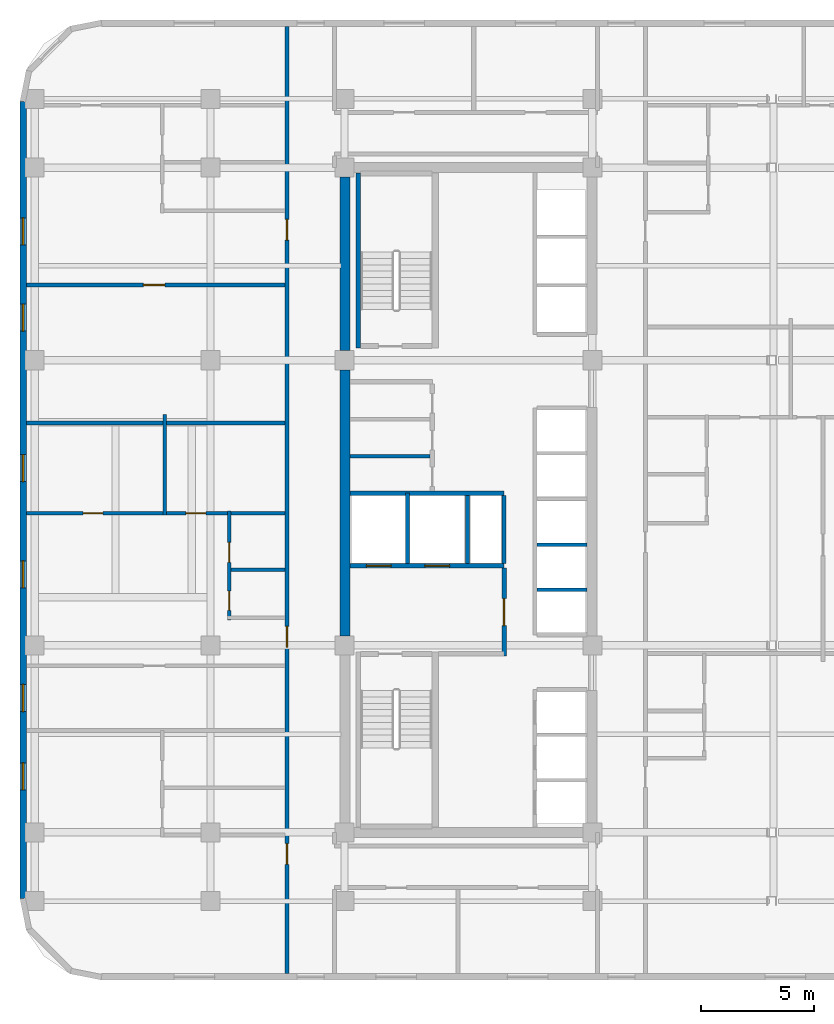
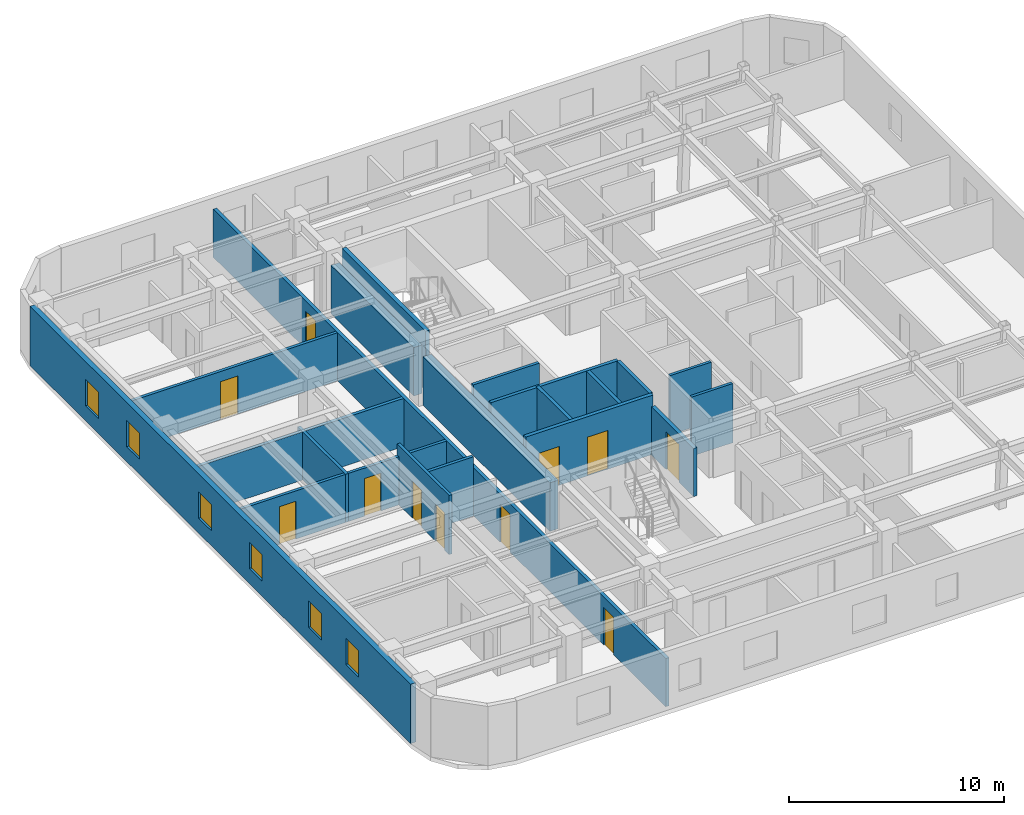
# One storey, part 4 of 8: 20 walls, 11 doors, 6 windows, 17 openings.
"""IFC4 building model written with IfcOpenShell, lengths in metres."""

from ifc_helpers import new_model, si_unit, direction, frame, frame_2d, origin, place, context, subcontext, project, spatial, rectangle, extrude, material, layer, layer_set, type_object, element, fill, save


model = new_model("IFC4")

# Units and contexts
model_context = context("Model", 3, precision=1e-05, world=origin(), true_north=direction((0.0, 1.0)))
body_context = subcontext(model_context, "Body", "Model", "MODEL_VIEW")
ifc_project = project(units=[si_unit("LENGTHUNIT", "METRE"), si_unit("AREAUNIT", "SQUARE_METRE"), si_unit("VOLUMEUNIT", "CUBIC_METRE"), si_unit("PLANEANGLEUNIT", "RADIAN"), si_unit("MASSUNIT", "GRAM", prefix="KILO")], contexts=[model_context])

# Site, building, storey
site_placement = place(None, origin())
site = spatial("IfcSite", under=ifc_project, at=site_placement, CompositionType="ELEMENT")
building_placement = place(site_placement, origin())
building = spatial("IfcBuilding", under=site, at=building_placement, Name="Ochreholt Gables", CompositionType="ELEMENT")
storey_placement = place(building_placement, frame((0.0, 0.0, 91.199951171875)))
storey = spatial("IfcBuildingStorey", under=building, at=storey_placement, Name="L23", CompositionType="ELEMENT", Elevation=91.199951171875)

# Walls
ifc_material_1 = material(Name="Concrete 60 MPa", Category="concrete")
ifc_layer_1 = layer(ifc_material_1, 0.449951171875, Name="Concrete 60 MPa")
ifc_layer_set_1 = layer_set([ifc_layer_1], Name="Concrete 60 MPa")
wall_type_1 = type_object("IfcWallType", Name="WALL-CSW-450", PredefinedType="SHEAR", material=ifc_layer_set_1)
wall_1_placement = place(storey_placement, frame((24.22509765625, 17.97509765625, 0.0), z_axis=(0.0, 0.0, 1.0), x_axis=(0.0, 1.0, 0.0)))
element("IfcWall", 1, at=wall_1_placement, inside=storey, type_object=wall_type_1, Name="L23 Core West Shear Wall WM", PredefinedType="SHEAR", context=body_context, shape_type="SweptSolid", body=[
    extrude(rectangle(XDim=11.7998046875, YDim=0.449951171875, at=frame_2d((5.89990234375, 0.0))), origin(), (0.0, 0.0, 1.0), 2.7490234375),
])
wall_2_placement = place(storey_placement, frame((24.22509765625, 30.625, 0.0), z_axis=(0.0, 0.0, 1.0), x_axis=(0.0, 1.0, 0.0)))
element("IfcWall", 2, at=wall_2_placement, inside=storey, type_object=wall_type_1, Name="L23 Core West Shear Wall WN", PredefinedType="SHEAR", context=body_context, shape_type="SweptSolid", body=[
    extrude(rectangle(XDim=7.699951171875, YDim=0.449951171875, at=frame_2d((3.85009765625, 0.0))), origin(), (0.0, 0.0, 1.0), 2.7490234375),
])

# Wall, openings, windows
ifc_material_2 = material(Name="Precast concrete 40 MPa", Category="concrete")
ifc_layer_2 = layer(ifc_material_2, 0.280029296875, Name="Precast concrete 40 MPa")
ifc_layer_set_2 = layer_set([ifc_layer_2], Name="Precast concrete 40 MPa")
wall_type_2 = type_object("IfcWallType", Name="WALL-EXT-280", PredefinedType="SOLIDWALL", material=ifc_layer_set_2)
wall_3_placement = place(storey_placement, frame((9.93994140625, 41.679931640625, 0.0), z_axis=(0.0, 0.0, 1.0), x_axis=(0.0, -1.0, 0.0)))
wall_3 = element("IfcWall", 3, at=wall_3_placement, inside=storey, type_object=wall_type_2, Name="L23 West Exterior Wall", PredefinedType="SOLIDWALL", context=body_context, shape_type="SweptSolid", body=[
    extrude(rectangle(XDim=35.35986328125, YDim=0.280029296875, at=frame_2d((17.679931640625, 0.0))), origin(), (0.0, 0.0, 1.0), 3.360107421875),
])
opening_1_placement = place(wall_3_placement, frame((29.346923828125, 0.0, 0.85009765625)))
opening_1 = element("IfcOpeningElement", 4, at=opening_1_placement, cuts=wall_3, Name="Opening WN-3", PredefinedType="OPENING", context=body_context, shape_type="SweptSolid", body=[
    extrude(rectangle(XDim=1.199951171875, YDim=1.5, at=frame_2d((0.60009765625, 0.75))), frame((0.0, 0.14990234375, 0.0), z_axis=(0.0, -1.0, 0.0), x_axis=(1.0, 0.0, 0.0)), (0.0, 0.0, 1.0), 0.300048828125),
])
opening_2_placement = place(wall_3_placement, frame((25.866943359375, 0.0, 0.85009765625)))
opening_2 = element("IfcOpeningElement", 5, at=opening_2_placement, cuts=wall_3, Name="Opening WN-3", PredefinedType="OPENING", context=body_context, shape_type="SweptSolid", body=[
    extrude(rectangle(XDim=1.199951171875, YDim=1.5, at=frame_2d((0.60009765625, 0.75))), frame((0.0, 0.14990234375, 0.0), z_axis=(0.0, -1.0, 0.0), x_axis=(1.0, 0.0, 0.0)), (0.0, 0.0, 1.0), 0.300048828125),
])
opening_3_placement = place(wall_3_placement, frame((20.3759765625, 0.0, 0.85009765625)))
opening_3 = element("IfcOpeningElement", 6, at=opening_3_placement, cuts=wall_3, Name="Opening WN-3", PredefinedType="OPENING", context=body_context, shape_type="SweptSolid", body=[
    extrude(rectangle(XDim=1.199951171875, YDim=1.5, at=frame_2d((0.60009765625, 0.75))), frame((0.0, 0.14990234375, 0.0), z_axis=(0.0, -1.0, 0.0), x_axis=(1.0, 0.0, 0.0)), (0.0, 0.0, 1.0), 0.300048828125),
])
opening_4_placement = place(wall_3_placement, frame((15.6669921875, 0.0, 0.85009765625)))
opening_4 = element("IfcOpeningElement", 7, at=opening_4_placement, cuts=wall_3, Name="Opening WN-3", PredefinedType="OPENING", context=body_context, shape_type="SweptSolid", body=[
    extrude(rectangle(XDim=1.199951171875, YDim=1.5, at=frame_2d((0.60009765625, 0.75))), frame((0.0, 0.14990234375, 0.0), z_axis=(0.0, -1.0, 0.0), x_axis=(1.0, 0.0, 0.0)), (0.0, 0.0, 1.0), 0.300048828125),
])
opening_5_placement = place(wall_3_placement, frame((8.990478515625, 0.0, 0.85009765625)))
opening_5 = element("IfcOpeningElement", 8, at=opening_5_placement, cuts=wall_3, Name="Opening WN-3", PredefinedType="OPENING", context=body_context, shape_type="SweptSolid", body=[
    extrude(rectangle(XDim=1.199951171875, YDim=1.5, at=frame_2d((0.60009765625, 0.75))), frame((0.0, 0.14990234375, 0.0), z_axis=(0.0, -1.0, 0.0), x_axis=(1.0, 0.0, 0.0)), (0.0, 0.0, 1.0), 0.300048828125),
])
opening_6_placement = place(wall_3_placement, frame((5.155517578125, 0.0, 0.85009765625)))
opening_6 = element("IfcOpeningElement", 9, at=opening_6_placement, cuts=wall_3, Name="Opening WN-3", PredefinedType="OPENING", context=body_context, shape_type="SweptSolid", body=[
    extrude(rectangle(XDim=1.199951171875, YDim=1.5, at=frame_2d((0.60009765625, 0.75))), frame((0.0, 0.14990234375, 0.0), z_axis=(0.0, -1.0, 0.0), x_axis=(1.0, 0.0, 0.0)), (0.0, 0.0, 1.0), 0.300048828125),
])
ifc_material_3 = material(Name="Triple-Glazed Thermally Broken Aluminium Window", Category="aluminium")
window_type = type_object("IfcWindowType", Name="WIN-RES-1200", PartitioningType="SINGLE_PANEL", PredefinedType="WINDOW", material=ifc_material_3)
window_1_placement = place(opening_1_placement, origin())
window_1 = element("IfcWindow", 10, at=window_1_placement, inside=storey, type_object=window_type, Name="L23 Window W-EXT-W-L23-1", OverallHeight=1.5, OverallWidth=1.199951171875, PartitioningType="SINGLE_PANEL", PredefinedType="WINDOW", context=body_context, shape_type="SweptSolid", body=[
    extrude(rectangle(XDim=1.199951171875, YDim=1.5, at=frame_2d((0.60009765625, 0.75))), frame((0.0, 0.030029296875, 0.0), z_axis=(0.0, -1.0, 0.0), x_axis=(1.0, 0.0, 0.0)), (0.0, 0.0, 1.0), 0.06005859375),
])
fill(opening_1, window_1)
window_2_placement = place(opening_2_placement, origin())
window_2 = element("IfcWindow", 11, at=window_2_placement, inside=storey, type_object=window_type, Name="L23 Window W-EXT-W-L23-2", OverallHeight=1.5, OverallWidth=1.199951171875, PartitioningType="SINGLE_PANEL", PredefinedType="WINDOW", context=body_context, shape_type="SweptSolid", body=[
    extrude(rectangle(XDim=1.199951171875, YDim=1.5, at=frame_2d((0.60009765625, 0.75))), frame((0.0, 0.030029296875, 0.0), z_axis=(0.0, -1.0, 0.0), x_axis=(1.0, 0.0, 0.0)), (0.0, 0.0, 1.0), 0.06005859375),
])
fill(opening_2, window_2)
window_3_placement = place(opening_3_placement, origin())
window_3 = element("IfcWindow", 12, at=window_3_placement, inside=storey, type_object=window_type, Name="L23 Window W-EXT-W-L23-3", OverallHeight=1.5, OverallWidth=1.199951171875, PartitioningType="SINGLE_PANEL", PredefinedType="WINDOW", context=body_context, shape_type="SweptSolid", body=[
    extrude(rectangle(XDim=1.199951171875, YDim=1.5, at=frame_2d((0.60009765625, 0.75))), frame((0.0, 0.030029296875, 0.0), z_axis=(0.0, -1.0, 0.0), x_axis=(1.0, 0.0, 0.0)), (0.0, 0.0, 1.0), 0.06005859375),
])
fill(opening_3, window_3)
window_4_placement = place(opening_4_placement, origin())
window_4 = element("IfcWindow", 13, at=window_4_placement, inside=storey, type_object=window_type, Name="L23 Window W-EXT-W-L23-4", OverallHeight=1.5, OverallWidth=1.199951171875, PartitioningType="SINGLE_PANEL", PredefinedType="WINDOW", context=body_context, shape_type="SweptSolid", body=[
    extrude(rectangle(XDim=1.199951171875, YDim=1.5, at=frame_2d((0.60009765625, 0.75))), frame((0.0, 0.030029296875, 0.0), z_axis=(0.0, -1.0, 0.0), x_axis=(1.0, 0.0, 0.0)), (0.0, 0.0, 1.0), 0.06005859375),
])
fill(opening_4, window_4)
window_5_placement = place(opening_5_placement, origin())
window_5 = element("IfcWindow", 14, at=window_5_placement, inside=storey, type_object=window_type, Name="L23 Window W-EXT-W-L23-5", OverallHeight=1.5, OverallWidth=1.199951171875, PartitioningType="SINGLE_PANEL", PredefinedType="WINDOW", context=body_context, shape_type="SweptSolid", body=[
    extrude(rectangle(XDim=1.199951171875, YDim=1.5, at=frame_2d((0.60009765625, 0.75))), frame((0.0, 0.030029296875, 0.0), z_axis=(0.0, -1.0, 0.0), x_axis=(1.0, 0.0, 0.0)), (0.0, 0.0, 1.0), 0.06005859375),
])
fill(opening_5, window_5)
window_6_placement = place(opening_6_placement, origin())
window_6 = element("IfcWindow", 15, at=window_6_placement, inside=storey, type_object=window_type, Name="L23 Window W-EXT-W-L23-6", OverallHeight=1.5, OverallWidth=1.199951171875, PartitioningType="SINGLE_PANEL", PredefinedType="WINDOW", context=body_context, shape_type="SweptSolid", body=[
    extrude(rectangle(XDim=1.199951171875, YDim=1.5, at=frame_2d((0.60009765625, 0.75))), frame((0.0, 0.030029296875, 0.0), z_axis=(0.0, -1.0, 0.0), x_axis=(1.0, 0.0, 0.0)), (0.0, 0.0, 1.0), 0.06005859375),
])
fill(opening_6, window_6)

# Wall, openings, doors
ifc_material_4 = material(Name="Concrete 40 MPa", Category="concrete")
ifc_layer_3 = layer(ifc_material_4, 0.199951171875, Name="Concrete 40 MPa")
ifc_layer_set_3 = layer_set([ifc_layer_3], Name="Concrete 40 MPa")
wall_type_3 = type_object("IfcWallType", Name="WALL-INT-CF200", PredefinedType="STANDARD", material=ifc_layer_set_3)
wall_4_placement = place(storey_placement, frame((24.449951171875, 21.090087890625, 0.0), z_axis=(0.0, 0.0, 1.0), x_axis=(1.0, 0.0, 0.0)))
wall_4 = element("IfcWall", 16, at=wall_4_placement, inside=storey, type_object=wall_type_3, Name="L23 Interior Wall WI-FFN-L23", PredefinedType="STANDARD", context=body_context, shape_type="SweptSolid", body=[
    extrude(rectangle(XDim=6.830078125, YDim=0.199951171875, at=frame_2d((3.4150390625, 0.0))), origin(), (0.0, 0.0, 1.0), 3.360107421875),
])
opening_7_placement = place(wall_4_placement, frame((0.719970703125, 0.0, 0.0)))
opening_7 = element("IfcOpeningElement", 17, at=opening_7_placement, cuts=wall_4, Name="Opening LD-FF", PredefinedType="OPENING", context=body_context, shape_type="SweptSolid", body=[
    extrude(rectangle(XDim=1.10009765625, YDim=2.199951171875, at=frame_2d((0.550048828125, 1.10009765625))), frame((0.0, 0.10986328125, 0.0), z_axis=(0.0, -1.0, 0.0), x_axis=(1.0, 0.0, 0.0)), (0.0, 0.0, 1.0), 0.219970703125),
])
opening_8_placement = place(wall_4_placement, frame((3.320068359375, 0.0, 0.0)))
opening_8 = element("IfcOpeningElement", 18, at=opening_8_placement, cuts=wall_4, Name="Opening LD-FF", PredefinedType="OPENING", context=body_context, shape_type="SweptSolid", body=[
    extrude(rectangle(XDim=1.10009765625, YDim=2.199951171875, at=frame_2d((0.550048828125, 1.10009765625))), frame((0.0, 0.10986328125, 0.0), z_axis=(0.0, -1.0, 0.0), x_axis=(1.0, 0.0, 0.0)), (0.0, 0.0, 1.0), 0.219970703125),
])
ifc_material_5 = material(Name="Stainless Steel", Category="steel")
door_type_1 = type_object("IfcDoorType", Name="DR-LFT-FF1100", OperationType="NOTDEFINED", PredefinedType="DOOR", material=ifc_material_5)
door_1_placement = place(opening_7_placement, origin())
door_1 = element("IfcDoor", 19, at=door_1_placement, inside=storey, type_object=door_type_1, Name="L23 Door LD-FF1-L23", OperationType="SLIDING_TO_LEFT", OverallHeight=2.199951171875, OverallWidth=1.10009765625, PredefinedType="DOOR", context=body_context, shape_type="SweptSolid", body=[
    extrude(rectangle(XDim=1.10009765625, YDim=2.199951171875, at=frame_2d((0.550048828125, 1.10009765625))), frame((0.0, 0.02490234375, 0.0), z_axis=(0.0, -1.0, 0.0), x_axis=(1.0, 0.0, 0.0)), (0.0, 0.0, 1.0), 0.050048828125),
])
fill(opening_7, door_1)
door_2_placement = place(opening_8_placement, origin())
door_2 = element("IfcDoor", 20, at=door_2_placement, inside=storey, type_object=door_type_1, Name="L23 Door LD-FF2-L23", OperationType="SLIDING_TO_LEFT", OverallHeight=2.199951171875, OverallWidth=1.10009765625, PredefinedType="DOOR", context=body_context, shape_type="SweptSolid", body=[
    extrude(rectangle(XDim=1.10009765625, YDim=2.199951171875, at=frame_2d((0.550048828125, 1.10009765625))), frame((0.0, 0.02490234375, 0.0), z_axis=(0.0, -1.0, 0.0), x_axis=(1.0, 0.0, 0.0)), (0.0, 0.0, 1.0), 0.050048828125),
])
fill(opening_8, door_2)

# Wall, opening, door
wall_5_placement = place(storey_placement, frame((31.280029296875, 17.070068359375, 0.0), z_axis=(0.0, 0.0, 1.0), x_axis=(0.0, 1.0, 0.0)))
wall_5 = element("IfcWall", 21, at=wall_5_placement, inside=storey, type_object=wall_type_3, Name="L23 Interior Wall WI-FFE-L23", PredefinedType="STANDARD", context=body_context, shape_type="SweptSolid", body=[
    extrude(rectangle(XDim=3.919921875, YDim=0.199951171875, at=frame_2d((1.9599609375, 0.0))), origin(), (0.0, 0.0, 1.0), 2.73095703125),
])
opening_9_placement = place(wall_5_placement, frame((1.35009765625, 0.0, 0.0)))
opening_9 = element("IfcOpeningElement", 22, at=opening_9_placement, cuts=wall_5, Name="Opening D-FFL", PredefinedType="OPENING", context=body_context, shape_type="SweptSolid", body=[
    extrude(rectangle(XDim=1.199951171875, YDim=2.14990234375, at=frame_2d((0.60009765625, 1.074951171875))), frame((0.0, 0.10986328125, 0.0), z_axis=(0.0, -1.0, 0.0), x_axis=(1.0, 0.0, 0.0)), (0.0, 0.0, 1.0), 0.219970703125),
])
ifc_material_6 = material(Name="Hollow Metal Steel", Category="steel")
door_type_2 = type_object("IfcDoorType", Name="DR-INT-FFL1200", OperationType="NOTDEFINED", PredefinedType="DOOR", material=ifc_material_6)
door_3_placement = place(opening_9_placement, origin())
door_3 = element("IfcDoor", 23, at=door_3_placement, inside=storey, type_object=door_type_2, Name="L23 Door D-FFL-L23", OperationType="SINGLE_SWING_LEFT", OverallHeight=2.14990234375, OverallWidth=1.199951171875, PredefinedType="DOOR", context=body_context, shape_type="SweptSolid", body=[
    extrude(rectangle(XDim=1.199951171875, YDim=2.14990234375, at=frame_2d((0.60009765625, 1.074951171875))), frame((0.0, 0.02490234375, 0.0), z_axis=(0.0, -1.0, 0.0), x_axis=(1.0, 0.0, 0.0)), (0.0, 0.0, 1.0), 0.050048828125),
])
fill(opening_9, door_3)

# Wall, openings, doors
ifc_material_7 = material(Name="Fire-Rated Gypsum Acoustic Partition", Category="gypsum")
ifc_layer_4 = layer(ifc_material_7, 0.179931640625, Name="Fire-Rated Gypsum Acoustic Partition")
ifc_layer_set_4 = layer_set([ifc_layer_4], Name="Fire-Rated Gypsum Acoustic Partition")
wall_type_4 = type_object("IfcWallType", Name="WALL-INT-CR180", PredefinedType="STANDARD", material=ifc_layer_set_4)
wall_6_placement = place(storey_placement, frame((21.64990234375, 2.97998046875, 0.0), z_axis=(0.0, 0.0, 1.0), x_axis=(0.0, 1.0, 0.0)))
wall_6 = element("IfcWall", 24, at=wall_6_placement, inside=storey, type_object=wall_type_4, Name="L23 Interior Wall WI-C1W-L23", PredefinedType="STANDARD", context=body_context, shape_type="SweptSolid", body=[
    extrude(rectangle(XDim=42.0400390625, YDim=0.179931640625, at=frame_2d((21.02001953125, 0.0))), origin(), (0.0, 0.0, 1.0), 2.73095703125),
])
opening_10_placement = place(wall_6_placement, frame((4.85595703125, 0.0, 0.0)))
opening_10 = element("IfcOpeningElement", 25, at=opening_10_placement, cuts=wall_6, Name="Opening D-UN1", PredefinedType="OPENING", context=body_context, shape_type="SweptSolid", body=[
    extrude(rectangle(XDim=0.919921875, YDim=2.14990234375, at=frame_2d((0.4599609375, 1.074951171875))), frame((0.0, 0.099853515625, 0.0), z_axis=(0.0, -1.0, 0.0), x_axis=(1.0, 0.0, 0.0)), (0.0, 0.0, 1.0), 0.199951171875),
])
opening_11_placement = place(wall_6_placement, frame((14.488037109375, 0.0, 0.0)))
opening_11 = element("IfcOpeningElement", 26, at=opening_11_placement, cuts=wall_6, Name="Opening D-UN1", PredefinedType="OPENING", context=body_context, shape_type="SweptSolid", body=[
    extrude(rectangle(XDim=0.919921875, YDim=2.14990234375, at=frame_2d((0.4599609375, 1.074951171875))), frame((0.0, 0.099853515625, 0.0), z_axis=(0.0, -1.0, 0.0), x_axis=(1.0, 0.0, 0.0)), (0.0, 0.0, 1.0), 0.199951171875),
])
opening_12_placement = place(wall_6_placement, frame((32.551513671875, 0.0, 0.0)))
opening_12 = element("IfcOpeningElement", 27, at=opening_12_placement, cuts=wall_6, Name="Opening D-UN1", PredefinedType="OPENING", context=body_context, shape_type="SweptSolid", body=[
    extrude(rectangle(XDim=0.919921875, YDim=2.14990234375, at=frame_2d((0.4599609375, 1.074951171875))), frame((0.0, 0.099853515625, 0.0), z_axis=(0.0, -1.0, 0.0), x_axis=(1.0, 0.0, 0.0)), (0.0, 0.0, 1.0), 0.199951171875),
])
ifc_material_8 = material(Name="Engineered Oak Timber", Category="wood")
door_type_3 = type_object("IfcDoorType", Name="DR-INT-UNT920", OperationType="NOTDEFINED", PredefinedType="DOOR", material=ifc_material_8)
door_4_placement = place(opening_10_placement, origin())
door_4 = element("IfcDoor", 28, at=door_4_placement, inside=storey, type_object=door_type_3, Name="L23 Door D-U-L23W1-ENT", OperationType="SINGLE_SWING_LEFT", OverallHeight=2.14990234375, OverallWidth=0.919921875, PredefinedType="DOOR", context=body_context, shape_type="SweptSolid", body=[
    extrude(rectangle(XDim=0.919921875, YDim=2.14990234375, at=frame_2d((0.4599609375, 1.074951171875))), frame((0.0, 0.02490234375, 0.0), z_axis=(0.0, -1.0, 0.0), x_axis=(1.0, 0.0, 0.0)), (0.0, 0.0, 1.0), 0.050048828125),
])
fill(opening_10, door_4)
door_5_placement = place(opening_11_placement, origin())
door_5 = element("IfcDoor", 29, at=door_5_placement, inside=storey, type_object=door_type_3, Name="L23 Door D-U-L23W2-ENT", OperationType="SINGLE_SWING_RIGHT", OverallHeight=2.14990234375, OverallWidth=0.919921875, PredefinedType="DOOR", context=body_context, shape_type="SweptSolid", body=[
    extrude(rectangle(XDim=0.919921875, YDim=2.14990234375, at=frame_2d((0.4599609375, 1.074951171875))), frame((0.0, 0.02490234375, 0.0), z_axis=(0.0, -1.0, 0.0), x_axis=(1.0, 0.0, 0.0)), (0.0, 0.0, 1.0), 0.050048828125),
])
fill(opening_11, door_5)
door_6_placement = place(opening_12_placement, origin())
door_6 = element("IfcDoor", 30, at=door_6_placement, inside=storey, type_object=door_type_3, Name="L23 Door D-U-L23W3-ENT", OperationType="SINGLE_SWING_LEFT", OverallHeight=2.14990234375, OverallWidth=0.919921875, PredefinedType="DOOR", context=body_context, shape_type="SweptSolid", body=[
    extrude(rectangle(XDim=0.919921875, YDim=2.14990234375, at=frame_2d((0.4599609375, 1.074951171875))), frame((0.0, 0.02490234375, 0.0), z_axis=(0.0, -1.0, 0.0), x_axis=(1.0, 0.0, 0.0)), (0.0, 0.0, 1.0), 0.050048828125),
])
fill(opening_12, door_6)

# Wall
ifc_material_9 = material(Name="Double-Stud Acoustic Demising Wall", Category="gypsum")
ifc_layer_5 = layer(ifc_material_9, 0.179931640625, Name="Double-Stud Acoustic Demising Wall")
ifc_layer_set_5 = layer_set([ifc_layer_5], Name="Double-Stud Acoustic Demising Wall")
wall_type_5 = type_object("IfcWallType", Name="WALL-INT-DM180", PredefinedType="PARTITIONING", material=ifc_layer_set_5)
wall_7_placement = place(storey_placement, frame((10.080078125, 27.407958984375, 0.0), z_axis=(0.0, 0.0, 1.0), x_axis=(1.0, 0.0, 0.0)))
element("IfcWall", 31, at=wall_7_placement, inside=storey, type_object=wall_type_5, Name="L23 Interior Wall WI-UDW3-L23", PredefinedType="PARTITIONING", context=body_context, shape_type="SweptSolid", body=[
    extrude(rectangle(XDim=11.47998046875, YDim=0.179931640625, at=frame_2d((5.739990234375, 0.0))), origin(), (0.0, 0.0, 1.0), 2.73095703125),
])

# Wall, openings, doors
ifc_material_10 = material(Name="Moisture-Resistant Plumbing Chase Wall", Category="gypsum")
ifc_layer_6 = layer(ifc_material_10, 0.159912109375, Name="Moisture-Resistant Plumbing Chase Wall")
ifc_layer_set_6 = layer_set([ifc_layer_6], Name="Moisture-Resistant Plumbing Chase Wall")
wall_type_6 = type_object("IfcWallType", Name="WALL-INT-PL160", PredefinedType="PLUMBINGWALL", material=ifc_layer_set_6)
wall_8_placement = place(storey_placement, frame((19.080078125, 18.677978515625, 0.0), z_axis=(0.0, 0.0, 1.0), x_axis=(0.0, 1.0, 0.0)))
wall_8 = element("IfcWall", 32, at=wall_8_placement, inside=storey, type_object=wall_type_6, Name="L23 Interior Wall WU-L23W2-WX", PredefinedType="PLUMBINGWALL", context=body_context, shape_type="SweptSolid", body=[
    extrude(rectangle(XDim=4.830078125, YDim=0.159912109375, at=frame_2d((2.4150390625, 0.0))), origin(), (0.0, 0.0, 1.0), 3.360107421875),
])
opening_13_placement = place(wall_8_placement, frame((0.419921875, 0.0, 0.0)))
opening_13 = element("IfcOpeningElement", 33, at=opening_13_placement, cuts=wall_8, Name="Opening D-BT1", PredefinedType="OPENING", context=body_context, shape_type="SweptSolid", body=[
    extrude(rectangle(XDim=0.860107421875, YDim=2.1201171875, at=frame_2d((0.43017578125, 1.06005859375))), frame((0.0, 0.08984375, 0.0), z_axis=(0.0, -1.0, 0.0), x_axis=(1.0, 0.0, 0.0)), (0.0, 0.0, 1.0), 0.179931640625),
])
opening_14_placement = place(wall_8_placement, frame((2.55908203125, 0.0, 0.0)))
opening_14 = element("IfcOpeningElement", 34, at=opening_14_placement, cuts=wall_8, Name="Opening D-GN2", PredefinedType="OPENING", context=body_context, shape_type="SweptSolid", body=[
    extrude(rectangle(XDim=0.8798828125, YDim=2.1201171875, at=frame_2d((0.43994140625, 1.06005859375))), frame((0.0, 0.08984375, 0.0), z_axis=(0.0, -1.0, 0.0), x_axis=(1.0, 0.0, 0.0)), (0.0, 0.0, 1.0), 0.179931640625),
])
door_type_4 = type_object("IfcDoorType", Name="DR-INT-BTH860", OperationType="NOTDEFINED", PredefinedType="DOOR", material=ifc_material_8)
door_7_placement = place(opening_13_placement, origin())
door_7 = element("IfcDoor", 35, at=door_7_placement, inside=storey, type_object=door_type_4, Name="L23 Door D-U-L23W2-BTH", OperationType="SINGLE_SWING_LEFT", OverallHeight=2.1201171875, OverallWidth=0.860107421875, PredefinedType="DOOR", context=body_context, shape_type="SweptSolid", body=[
    extrude(rectangle(XDim=0.860107421875, YDim=2.1201171875, at=frame_2d((0.43017578125, 1.06005859375))), frame((0.0, 0.02490234375, 0.0), z_axis=(0.0, -1.0, 0.0), x_axis=(1.0, 0.0, 0.0)), (0.0, 0.0, 1.0), 0.050048828125),
])
fill(opening_13, door_7)
door_type_5 = type_object("IfcDoorType", Name="DR-INT-GEN880", OperationType="NOTDEFINED", PredefinedType="DOOR", material=ifc_material_8)
door_8_placement = place(opening_14_placement, origin())
door_8 = element("IfcDoor", 36, at=door_8_placement, inside=storey, type_object=door_type_5, Name="L23 Door D-U-L23W2-KIT", OperationType="SINGLE_SWING_RIGHT", OverallHeight=2.1201171875, OverallWidth=0.8798828125, PredefinedType="DOOR", context=body_context, shape_type="SweptSolid", body=[
    extrude(rectangle(XDim=0.8798828125, YDim=2.1201171875, at=frame_2d((0.43994140625, 1.06005859375))), frame((0.0, 0.02490234375, 0.0), z_axis=(0.0, -1.0, 0.0), x_axis=(1.0, 0.0, 0.0)), (0.0, 0.0, 1.0), 0.050048828125),
])
fill(opening_14, door_8)

# Walls
wall_9_placement = place(storey_placement, frame((19.159912109375, 20.906982421875, 0.0), z_axis=(0.0, 0.0, 1.0), x_axis=(1.0, 0.0, 0.0)))
element("IfcWall", 37, at=wall_9_placement, inside=storey, type_object=wall_type_6, Name="L23 Interior Wall WU-L23W2-WK", PredefinedType="PLUMBINGWALL", context=body_context, shape_type="SweptSolid", body=[
    extrude(rectangle(XDim=2.400146484375, YDim=0.159912109375, at=frame_2d((1.2001953125, 0.0))), origin(), (0.0, 0.0, 1.0), 3.360107421875),
])
ifc_material_11 = material(Name="Gypsum Acoustic Stud Partition", Category="gypsum")
ifc_layer_7 = layer(ifc_material_11, 0.159912109375, Name="Gypsum Acoustic Stud Partition")
ifc_layer_set_7 = layer_set([ifc_layer_7], Name="Gypsum Acoustic Stud Partition")
wall_type_7 = type_object("IfcWallType", Name="WALL-INT-PT160", PredefinedType="PARTITIONING", material=ifc_layer_set_7)
wall_10_placement = place(storey_placement, frame((24.449951171875, 25.949951171875, 0.0), z_axis=(0.0, 0.0, 1.0), x_axis=(1.0, 0.0, 0.0)))
element("IfcWall", 38, at=wall_10_placement, inside=storey, type_object=wall_type_7, Name="L23 Interior Wall WI-SRVP1-L23", PredefinedType="PARTITIONING", context=body_context, shape_type="SweptSolid", body=[
    extrude(rectangle(XDim=3.550048828125, YDim=0.159912109375, at=frame_2d((1.77490234375, 0.0))), origin(), (0.0, 0.0, 1.0), 3.360107421875),
])

# Wall, openings, doors
wall_11_placement = place(storey_placement, frame((10.080078125, 23.41796875, 0.0), z_axis=(0.0, 0.0, 1.0), x_axis=(1.0, 0.0, 0.0)))
wall_11 = element("IfcWall", 39, at=wall_11_placement, inside=storey, type_object=wall_type_7, Name="L23 Interior Wall WU-L23W2-MN", PredefinedType="PARTITIONING", context=body_context, shape_type="SweptSolid", body=[
    extrude(rectangle(XDim=11.47998046875, YDim=0.159912109375, at=frame_2d((5.739990234375, 0.0))), origin(), (0.0, 0.0, 1.0), 2.73095703125),
])
opening_15_placement = place(wall_11_placement, frame((2.519775390625, 0.0, 0.0)))
opening_15 = element("IfcOpeningElement", 40, at=opening_15_placement, cuts=wall_11, Name="Opening D-BD2", PredefinedType="OPENING", context=body_context, shape_type="SweptSolid", body=[
    extrude(rectangle(XDim=0.8798828125, YDim=2.139892578125, at=frame_2d((0.43994140625, 1.06982421875))), frame((0.0, 0.08984375, 0.0), z_axis=(0.0, -1.0, 0.0), x_axis=(1.0, 0.0, 0.0)), (0.0, 0.0, 1.0), 0.179931640625),
])
opening_16_placement = place(wall_11_placement, frame((7.084716796875, 0.0, 0.0)))
opening_16 = element("IfcOpeningElement", 41, at=opening_16_placement, cuts=wall_11, Name="Opening D-BD2", PredefinedType="OPENING", context=body_context, shape_type="SweptSolid", body=[
    extrude(rectangle(XDim=0.8798828125, YDim=2.139892578125, at=frame_2d((0.43994140625, 1.06982421875))), frame((0.0, 0.08984375, 0.0), z_axis=(0.0, -1.0, 0.0), x_axis=(1.0, 0.0, 0.0)), (0.0, 0.0, 1.0), 0.179931640625),
])
door_type_6 = type_object("IfcDoorType", Name="DR-INT-BED880", OperationType="NOTDEFINED", PredefinedType="DOOR", material=ifc_material_8)
door_9_placement = place(opening_15_placement, origin())
door_9 = element("IfcDoor", 42, at=door_9_placement, inside=storey, type_object=door_type_6, Name="L23 Door D-U-L23W2-BD1", OperationType="SINGLE_SWING_RIGHT", OverallHeight=2.139892578125, OverallWidth=0.8798828125, PredefinedType="DOOR", context=body_context, shape_type="SweptSolid", body=[
    extrude(rectangle(XDim=0.8798828125, YDim=2.139892578125, at=frame_2d((0.43994140625, 1.06982421875))), frame((0.0, 0.02490234375, 0.0), z_axis=(0.0, -1.0, 0.0), x_axis=(1.0, 0.0, 0.0)), (0.0, 0.0, 1.0), 0.050048828125),
])
fill(opening_15, door_9)
door_10_placement = place(opening_16_placement, origin())
door_10 = element("IfcDoor", 43, at=door_10_placement, inside=storey, type_object=door_type_6, Name="L23 Door D-U-L23W2-BD2", OperationType="SINGLE_SWING_LEFT", OverallHeight=2.139892578125, OverallWidth=0.8798828125, PredefinedType="DOOR", context=body_context, shape_type="SweptSolid", body=[
    extrude(rectangle(XDim=0.8798828125, YDim=2.139892578125, at=frame_2d((0.43994140625, 1.06982421875))), frame((0.0, 0.02490234375, 0.0), z_axis=(0.0, -1.0, 0.0), x_axis=(1.0, 0.0, 0.0)), (0.0, 0.0, 1.0), 0.050048828125),
])
fill(opening_16, door_10)

# Wall
wall_12_placement = place(storey_placement, frame((16.219482421875, 23.337890625, 0.0), z_axis=(0.0, 0.0, 1.0), x_axis=(0.0, 1.0, 0.0)))
element("IfcWall", 44, at=wall_12_placement, inside=storey, type_object=wall_type_7, Name="L23 Interior Wall WU-L23W2-BSD", PredefinedType="PARTITIONING", context=body_context, shape_type="SweptSolid", body=[
    extrude(rectangle(XDim=4.460205078125, YDim=0.159912109375, at=frame_2d((2.22998046875, 0.0))), origin(), (0.0, 0.0, 1.0), 2.73095703125),
])

# Wall, opening, door
wall_13_placement = place(storey_placement, frame((10.080078125, 33.5390625, 0.0), z_axis=(0.0, 0.0, 1.0), x_axis=(1.0, 0.0, 0.0)))
wall_13 = element("IfcWall", 45, at=wall_13_placement, inside=storey, type_object=wall_type_7, Name="L23 Interior Wall WU-L23W3-DNW", PredefinedType="PARTITIONING", context=body_context, shape_type="SweptSolid", body=[
    extrude(rectangle(XDim=11.47998046875, YDim=0.159912109375, at=frame_2d((5.739990234375, 0.0))), origin(), (0.0, 0.0, 1.0), 2.73095703125),
])
opening_17_placement = place(wall_13_placement, frame((5.195068359375, 0.0, 0.0)))
opening_17 = element("IfcOpeningElement", 46, at=opening_17_placement, cuts=wall_13, Name="Opening D-GN1", PredefinedType="OPENING", context=body_context, shape_type="SweptSolid", body=[
    extrude(rectangle(XDim=0.949951171875, YDim=2.14990234375, at=frame_2d((0.47509765625, 1.074951171875))), frame((0.0, 0.08984375, 0.0), z_axis=(0.0, -1.0, 0.0), x_axis=(1.0, 0.0, 0.0)), (0.0, 0.0, 1.0), 0.179931640625),
])
door_type_7 = type_object("IfcDoorType", Name="DR-INT-GEN950", OperationType="NOTDEFINED", PredefinedType="DOOR", material=ifc_material_8)
door_11_placement = place(opening_17_placement, origin())
door_11 = element("IfcDoor", 47, at=door_11_placement, inside=storey, type_object=door_type_7, Name="L23 Door D-U-L23W3-DIN", OperationType="SINGLE_SWING_RIGHT", OverallHeight=2.14990234375, OverallWidth=0.949951171875, PredefinedType="DOOR", context=body_context, shape_type="SweptSolid", body=[
    extrude(rectangle(XDim=0.949951171875, YDim=2.14990234375, at=frame_2d((0.47509765625, 1.074951171875))), frame((0.0, 0.02490234375, 0.0), z_axis=(0.0, -1.0, 0.0), x_axis=(1.0, 0.0, 0.0)), (0.0, 0.0, 1.0), 0.050048828125),
])
fill(opening_17, door_11)

# Walls
ifc_material_12 = material(Name="Gypsum Shaftliner and Steel Stud", Category="steel")
ifc_layer_8 = layer(ifc_material_12, 0.14990234375, Name="Gypsum Shaftliner and Steel Stud")
ifc_layer_set_8 = layer_set([ifc_layer_8], Name="Gypsum Shaftliner and Steel Stud")
wall_type_8 = type_object("IfcWallType", Name="WALL-INT-SH150", PredefinedType="STANDARD", material=ifc_layer_set_8)
for number, where, z_axis, x_axis, name in (
    (48, (32.739990234375, 20.02001953125, 0.0), (0.0, 0.0, 1.0), (1.0, 0.0, 0.0), "L23 Interior Wall WI-LFHE-DH1-L23"),
    (49, (32.739990234375, 22.02001953125, 0.0), (0.0, 0.0, 1.0), (1.0, 0.0, 0.0), "L23 Interior Wall WI-LFHE-DH2-L23"),
):
    element("IfcWall", number, at=place(storey_placement, frame(where, z_axis=z_axis, x_axis=x_axis)), inside=storey, type_object=wall_type_8, Name=name, PredefinedType="STANDARD", context=body_context, shape_type="SweptSolid", body=[
        extrude(rectangle(XDim=2.2099609375, YDim=0.14990234375, at=frame_2d((1.10498046875, 0.0))), origin(), (0.0, 0.0, 1.0), 3.360107421875),
    ])
ifc_layer_9 = layer(ifc_material_12, 0.179931640625, Name="Gypsum Shaftliner and Steel Stud")
ifc_layer_set_9 = layer_set([ifc_layer_9], Name="Gypsum Shaftliner and Steel Stud")
wall_type_9 = type_object("IfcWallType", Name="WALL-INT-SH180", PredefinedType="STANDARD", material=ifc_layer_set_9)
wall_14_placement = place(storey_placement, frame((27.0, 21.18994140625, 0.0), z_axis=(0.0, 0.0, 1.0), x_axis=(0.0, 1.0, 0.0)))
element("IfcWall", 50, at=wall_14_placement, inside=storey, type_object=wall_type_9, Name="L23 Interior Wall WI-FFDIV-L23", PredefinedType="STANDARD", context=body_context, shape_type="SweptSolid", body=[
    extrude(rectangle(XDim=3.110107421875, YDim=0.179931640625, at=frame_2d((1.55517578125, 0.0))), origin(), (0.0, 0.0, 1.0), 3.360107421875),
])
wall_15_placement = place(storey_placement, frame((24.449951171875, 24.300048828125, 0.0), z_axis=(0.0, 0.0, 1.0), x_axis=(1.0, 0.0, 0.0)))
element("IfcWall", 51, at=wall_15_placement, inside=storey, type_object=wall_type_9, Name="L23 Interior Wall WI-FFBK-L23", PredefinedType="STANDARD", context=body_context, shape_type="SweptSolid", body=[
    extrude(rectangle(XDim=6.830078125, YDim=0.179931640625, at=frame_2d((3.4150390625, 0.0))), origin(), (0.0, 0.0, 1.0), 3.360107421875),
])
for number, where, z_axis, x_axis, name in (
    (52, (29.64990234375, 21.18994140625, 0.0), (0.0, 0.0, 1.0), (0.0, 1.0, 0.0), "L23 Interior Wall WI-FFSH-L23"),
    (53, (31.280029296875, 21.18994140625, 0.0), (0.0, 0.0, 1.0), (0.0, 1.0, 0.0), "L23 Interior Wall WI-RSE-L23"),
):
    element("IfcWall", number, at=place(storey_placement, frame(where, z_axis=z_axis, x_axis=x_axis)), inside=storey, type_object=wall_type_9, Name=name, PredefinedType="STANDARD", context=body_context, shape_type="SweptSolid", body=[
        extrude(rectangle(XDim=3.02001953125, YDim=0.179931640625, at=frame_2d((1.510009765625, 0.0))), origin(), (0.0, 0.0, 1.0), 3.360107421875),
    ])
ifc_material_13 = material(Name="Concrete 50 MPa", Category="concrete")
ifc_layer_10 = layer(ifc_material_13, 0.219970703125, Name="Concrete 50 MPa")
ifc_layer_set_10 = layer_set([ifc_layer_10], Name="Concrete 50 MPa")
wall_type_10 = type_object("IfcWallType", Name="WALL-STW-220", PredefinedType="SHEAR", material=ifc_layer_set_10)
wall_16_placement = place(storey_placement, frame((24.81005859375, 30.739990234375, 0.0), z_axis=(0.0, 0.0, 1.0), x_axis=(0.0, 1.0, 0.0)))
element("IfcWall", 54, at=wall_16_placement, inside=storey, type_object=wall_type_10, Name="L23 Exit Stair 2 West Wall", PredefinedType="SHEAR", context=body_context, shape_type="SweptSolid", body=[
    extrude(rectangle(XDim=7.760009765625, YDim=0.219970703125, at=frame_2d((3.8798828125, 0.0))), origin(), (0.0, 0.0, 1.0), 3.360107421875),
])

save(model, "model.ifc")
